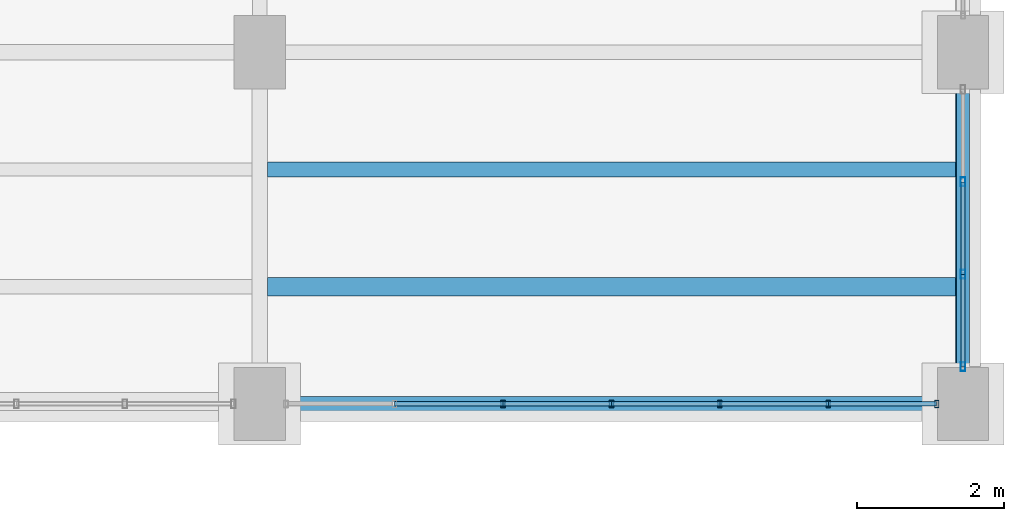
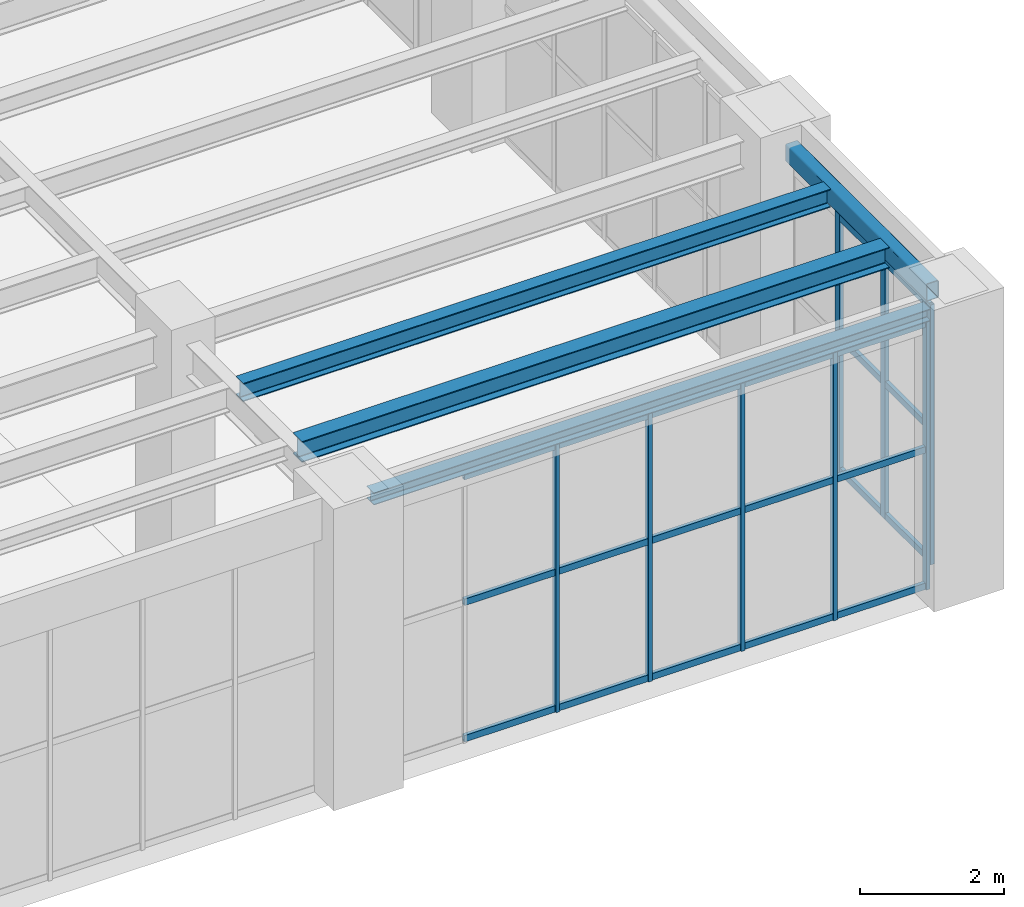
# One storey, part 103 of 174: 29 members, 4 beams, 2 elements without a shape of their own.
"""IFC4 building model written with IfcOpenShell, lengths in metres."""

import ifcopenshell
import ifcopenshell.guid

model = None  # the IFC model being written
_history = None  # IfcOwnerHistory: only IFC2X3 demands one
_inside = {}  # id of a spatial element -> (the spatial element, [elements in it])
_under = {}  # id of a project, library or spatial element -> (it, [spatial elements below it])
_declared = {}  # id of a project -> (the project, [libraries it declares])
_typed = {}  # id of a type object -> (the type object, [elements of that type])
_made_of = {}  # id of a material, layer set ... -> (it, [elements and type objects made of it])


def new_model(schema):
    """Start an empty IFC model of exactly this schema.

    Asked for "IFC4X3", IfcOpenShell would pick the latest addendum, in which some entities
    have other attributes; the version numbers below select the first issue.
    IFC2X3 requires an IfcOwnerHistory on every rooted entity: one is made here for all.
    """
    global model, _history
    if schema == "IFC4X3":
        model = ifcopenshell.file(schema_version=(4, 3, 0, 0))
    else:
        model = ifcopenshell.file(schema=schema)
    _inside.clear()
    _under.clear()
    _declared.clear()
    _typed.clear()
    _made_of.clear()
    _history = None
    if model.schema == "IFC2X3":
        org = make("IfcOrganization", Name="unknown")
        user = make(
            "IfcPersonAndOrganization",
            ThePerson=make("IfcPerson", FamilyName="unknown"),
            TheOrganization=org,
        )
        app = make(
            "IfcApplication",
            ApplicationDeveloper=org,
            Version="unknown",
            ApplicationFullName="unknown",
            ApplicationIdentifier="unknown",
        )
        _history = make(
            "IfcOwnerHistory",
            OwningUser=user,
            OwningApplication=app,
            ChangeAction="ADDED",
            CreationDate=0,
        )
    return model


def make(cls, **values):
    """One entity of the class cls with the attributes given. An attribute that is None is left unset."""
    return model.create_entity(
        cls, **{name: value for name, value in values.items() if value is not None}
    )


def rooted(cls, **values):
    """An entity with a GlobalId (a new one), such as an element, a storey or a relation."""
    return make(cls, GlobalId=ifcopenshell.guid.new(), OwnerHistory=_history, **values)


def si_unit(unit_type, name, prefix=None):
    """IfcSIUnit, for example si_unit("LENGTHUNIT", "METRE", prefix="MILLI")."""
    return make("IfcSIUnit", UnitType=unit_type, Prefix=prefix, Name=name)


def assignment(units):
    """IfcUnitAssignment: the units of a project."""
    return None if units is None else make("IfcUnitAssignment", Units=units)


def point(xyz):
    """IfcCartesianPoint."""
    return None if xyz is None else make("IfcCartesianPoint", Coordinates=xyz)


def direction(xyz):
    """IfcDirection."""
    return None if xyz is None else make("IfcDirection", DirectionRatios=xyz)


def frame(location, z_axis=None, x_axis=None):
    """IfcAxis2Placement3D, a coordinate frame: its origin and axes. An axis left out is left unset."""
    return make(
        "IfcAxis2Placement3D",
        Location=point(location),
        Axis=direction(z_axis),
        RefDirection=direction(x_axis),
    )


def frame_2d(location, x_axis=None):
    """IfcAxis2Placement2D, a coordinate frame in the plane: its origin and x axis."""
    return make(
        "IfcAxis2Placement2D", Location=point(location), RefDirection=direction(x_axis)
    )


def origin():
    """The frame at (0, 0, 0) with its axes left unset."""
    return frame((0.0, 0.0, 0.0))


def origin_2d():
    """The frame at (0, 0) in the plane with its x axis left unset."""
    return frame_2d((0.0, 0.0))


def place(relative_to, where):
    """IfcLocalPlacement: puts the frame where relative to a parent placement (None: the world)."""
    return make(
        "IfcLocalPlacement", PlacementRelTo=relative_to, RelativePlacement=where
    )


def context(
    kind, dimensions, precision=None, world=None, true_north=None, identifier=None
):
    """IfcGeometricRepresentationContext, for example the 3D "Model" context."""
    return make(
        "IfcGeometricRepresentationContext",
        ContextIdentifier=identifier,
        ContextType=kind,
        CoordinateSpaceDimension=dimensions,
        Precision=precision,
        WorldCoordinateSystem=world,
        TrueNorth=true_north,
    )


def subcontext(parent, identifier, kind, view, scale=None):
    """IfcGeometricRepresentationSubContext, for example "Body" below "Model"."""
    return make(
        "IfcGeometricRepresentationSubContext",
        ContextIdentifier=identifier,
        ContextType=kind,
        ParentContext=parent,
        TargetScale=scale,
        TargetView=view,
    )


def project(units=None, contexts=None):
    """IfcProject with its units and contexts."""
    return rooted(
        "IfcProject",
        Name="project",
        RepresentationContexts=contexts,
        UnitsInContext=assignment(units),
    )


def spatial(cls, under=None, at=None, **own):
    """A site, building, storey or space (cls), placed at a placement, below another one or the project."""
    s = rooted(cls, ObjectPlacement=at, **own)
    if under is not None:
        _under.setdefault(under.id(), (under, []))[1].append(s)
    return s


def profile(cls, at=None, kind="AREA", **sizes):
    """A parametric profile (cls). Its sizes go by their IFC names, for example OverallWidth=200.0."""
    return make(cls, ProfileType=kind, Position=at, **sizes)


def hollow_rectangle(**sizes):
    """IfcRectangleHollowProfileDef."""
    return profile("IfcRectangleHollowProfileDef", **sizes)


def i_section(**sizes):
    """IfcIShapeProfileDef."""
    return profile("IfcIShapeProfileDef", **sizes)


def extrude(swept, where, along, depth):
    """IfcExtrudedAreaSolid: the profile swept, set in the frame where, extruded along a direction by depth."""
    return make(
        "IfcExtrudedAreaSolid",
        SweptArea=swept,
        Position=where,
        ExtrudedDirection=direction(along),
        Depth=depth,
    )


def shape(context_of_items, identifier, shape_type, items):
    """IfcShapeRepresentation: the items that make up one representation, for example the "Body"."""
    return make(
        "IfcShapeRepresentation",
        ContextOfItems=context_of_items,
        RepresentationIdentifier=identifier,
        RepresentationType=shape_type,
        Items=items,
    )


def material(Name=None, Category=None):
    """IfcMaterial."""
    return make("IfcMaterial", Name=Name, Category=Category)


def material_profile(
    of_material, cross_section, Name=None, Category=None, Priority=None
):
    """IfcMaterialProfile: a cross section and its material."""
    return make(
        "IfcMaterialProfile",
        Name=Name,
        Material=of_material,
        Profile=cross_section,
        Priority=Priority,
        Category=Category,
    )


def profile_set(profiles, Name=None, composite=None):
    """IfcMaterialProfileSet."""
    return make(
        "IfcMaterialProfileSet",
        Name=Name,
        MaterialProfiles=profiles,
        CompositeProfile=composite,
    )


def made_of(thing, what):
    """Note that an element or type object is made of a material, layer set ...; save() writes the relation."""
    if what is not None:
        _made_of.setdefault(what.id(), (what, []))[1].append(thing)
    return thing


def type_object(cls, material=None, **own):
    """A type object (cls), such as IfcWallType, which elements share."""
    return made_of(rooted(cls, **own), material)


def element(
    cls,
    number,
    at=None,
    inside=None,
    cuts=None,
    type_object=None,
    material=None,
    context=None,
    identifier="Body",
    shape_type=None,
    held_by="IfcProductDefinitionShape",
    body=None,
    shapes=None,
    **own,
):
    """One element of the class cls, such as IfcWall. Its Tag is "e" and its number.

    at: its placement. inside: the storey or other place that contains it. cuts: it is an
    opening in that element (IfcRelVoidsElement). A single representation is given by context,
    identifier, shape_type and body (its items); several are given by shapes. held_by: the class
    of the entity that holds the representations. save() writes the other relations.
    """
    e = rooted(cls, Tag="e%d" % number, ObjectPlacement=at, **own)
    if body is not None:
        shapes = [shape(context, identifier, shape_type, body)]
    if shapes is not None:
        e.Representation = make(held_by, Representations=shapes)
    if inside is not None:
        _inside.setdefault(inside.id(), (inside, []))[1].append(e)
    if cuts is not None:
        rooted(
            "IfcRelVoidsElement", RelatingBuildingElement=cuts, RelatedOpeningElement=e
        )
    if type_object is not None:
        _typed.setdefault(type_object.id(), (type_object, []))[1].append(e)
    return made_of(e, material)


def aggregate(whole, parts):
    """IfcRelAggregates: a whole, such as a stair, and the parts it consists of."""
    return rooted("IfcRelAggregates", RelatingObject=whole, RelatedObjects=parts)


def save(model, path):
    """Write the relations noted so far, then the file.

    IfcRelAggregates (storeys below a building ...), IfcRelContainedInSpatialStructure (elements
    in a storey), IfcRelDefinesByType, IfcRelAssociatesMaterial and IfcRelDeclares: one each for
    every whole, place, type object, material and project.
    """
    for whole, parts in _under.values():
        aggregate(whole, parts)
    for where, things in _inside.values():
        rooted(
            "IfcRelContainedInSpatialStructure",
            RelatedElements=things,
            RelatingStructure=where,
        )
    for kind, things in _typed.values():
        rooted("IfcRelDefinesByType", RelatedObjects=things, RelatingType=kind)
    for what, things in _made_of.values():
        rooted("IfcRelAssociatesMaterial", RelatedObjects=things, RelatingMaterial=what)
    for by, libraries in _declared.values():
        rooted("IfcRelDeclares", RelatingContext=by, RelatedDefinitions=libraries)
    model.write(path)


model = new_model("IFC4")

# Units and contexts
model_context = context("Model", 3, precision=1e-05, world=origin(), true_north=direction((0.0, 1.0)))
body_context = subcontext(model_context, "Body", "Model", "MODEL_VIEW")
ifc_project = project(units=[si_unit("LENGTHUNIT", "METRE"), si_unit("AREAUNIT", "SQUARE_METRE"), si_unit("VOLUMEUNIT", "CUBIC_METRE"), si_unit("PLANEANGLEUNIT", "RADIAN"), si_unit("MASSUNIT", "GRAM", prefix="KILO")], contexts=[model_context])

# Site, building, storey
site_placement = place(None, origin())
site = spatial("IfcSite", under=ifc_project, at=site_placement, CompositionType="ELEMENT")
building_placement = place(site_placement, origin())
building = spatial("IfcBuilding", under=site, at=building_placement, Name="Mavantir Sound Aquarium", CompositionType="ELEMENT")
storey_placement = place(building_placement, frame((0.0, 0.0, 5.39990234375)))
storey = spatial("IfcBuildingStorey", under=building, at=storey_placement, Name="L01", CompositionType="ELEMENT", Elevation=5.39990234375)

# Beams
ifc_material_1 = material(Name="Hollow Structural Steel ASTM A500 GrC", Category="steel")
ifc_material_profile_1 = material_profile(ifc_material_1, hollow_rectangle(XDim=0.199951171875, YDim=0.300048828125, WallThickness=0.012451171875, InnerFilletRadius=0.012451171875, OuterFilletRadius=0.02490234375, at=origin_2d()), Name="RHS 300X200X12.5")
ifc_profile_set_1 = profile_set([ifc_material_profile_1], Name="Hollow Structural Steel ASTM A500 GrC")
beam_type_1 = type_object("IfcBeamType", Name="BM-RHS300-E", PredefinedType="SPANDREL", material=ifc_profile_set_1)
beam_1_placement = place(storey_placement, frame((175.199951171875, 36.449951171875, 4.6259765625), z_axis=(0.0, 1.0, 0.0), x_axis=(-1.0, 0.0, 0.0)))
element("IfcBeam", 1, at=beam_1_placement, inside=storey, type_object=beam_type_1, Name="L01 primary girder SS-R30 1352", PredefinedType="SPANDREL", context=body_context, shape_type="SweptSolid", body=[
    extrude(hollow_rectangle(XDim=0.199951171875, YDim=0.300048828125, WallThickness=0.012451171875, InnerFilletRadius=0.012451171875, OuterFilletRadius=0.02490234375, at=origin_2d()), origin(), (0.0, 0.0, 1.0), 3.900146484375),
])
ifc_material_2 = material(Name="Structural Steel ASTM A992 Gr50", Category="steel")
ifc_material_profile_2 = material_profile(ifc_material_2, i_section(OverallWidth=0.202880859375, OverallDepth=0.202880859375, WebThickness=0.007080078125, FlangeThickness=0.010986328125, FilletRadius=0.010009765625, at=origin_2d()), Name="W200X46")
ifc_profile_set_2 = profile_set([ifc_material_profile_2], Name="Structural Steel ASTM A992 Gr50")
beam_type_2 = type_object("IfcBeamType", Name="BM-W200X46-E", PredefinedType="LINTEL", material=ifc_profile_set_2)
beam_2_placement = place(storey_placement, frame((165.949951171875, 36.0, 4.674560546875), z_axis=(1.0, 0.0, 0.0), x_axis=(0.0, 1.0, 0.0)))
element("IfcBeam", 2, at=beam_2_placement, inside=storey, type_object=beam_type_2, Name="L01 primary beam SL-20 1244", PredefinedType="LINTEL", context=body_context, shape_type="SweptSolid", body=[
    extrude(i_section(OverallWidth=0.202880859375, OverallDepth=0.202880859375, WebThickness=0.007080078125, FlangeThickness=0.010986328125, FilletRadius=0.010009765625, at=origin_2d()), origin(), (0.0, 0.0, 1.0), 8.900146484375),
])
ifc_material_profile_3 = material_profile(ifc_material_2, i_section(OverallWidth=0.205078125, OverallDepth=0.31005859375, WebThickness=0.009521484375, FlangeThickness=0.016357421875, FilletRadius=0.012939453125, at=origin_2d()), Name="W310X74")
ifc_profile_set_3 = profile_set([ifc_material_profile_3], Name="Structural Steel ASTM A992 Gr50")
beam_type_3 = type_object("IfcBeamType", Name="BM-W310X74-I", PredefinedType="JOIST", material=ifc_profile_set_3)
beam_3_placement = place(storey_placement, frame((165.7060546875, 39.199951171875, 4.62109375), z_axis=(1.0, 0.0, 0.0), x_axis=(0.0, 1.0, 0.0)))
element("IfcBeam", 3, at=beam_3_placement, inside=storey, type_object=beam_type_3, Name="L01 secondary floor joist SJ-31 735", PredefinedType="JOIST", context=body_context, shape_type="SweptSolid", body=[
    extrude(i_section(OverallWidth=0.205078125, OverallDepth=0.31005859375, WebThickness=0.009521484375, FlangeThickness=0.016357421875, FilletRadius=0.012939453125, at=origin_2d()), origin(), (0.0, 0.0, 1.0), 9.39404296875),
])
ifc_material_profile_4 = material_profile(ifc_material_2, i_section(OverallWidth=0.25390625, OverallDepth=0.35302734375, WebThickness=0.009521484375, FlangeThickness=0.016357421875, FilletRadius=0.014892578125, at=origin_2d()), Name="W360X91")
ifc_profile_set_4 = profile_set([ifc_material_profile_4], Name="Structural Steel ASTM A992 Gr50")
beam_type_4 = type_object("IfcBeamType", Name="BM-W360X91-I", PredefinedType="JOIST", material=ifc_profile_set_4)
beam_4_placement = place(storey_placement, frame((165.7060546875, 37.60009765625, 4.599609375), z_axis=(1.0, 0.0, 0.0), x_axis=(0.0, 1.0, 0.0)))
element("IfcBeam", 4, at=beam_4_placement, inside=storey, type_object=beam_type_4, Name="L01 secondary floor joist SJ-36 734", PredefinedType="JOIST", context=body_context, shape_type="SweptSolid", body=[
    extrude(i_section(OverallWidth=0.25390625, OverallDepth=0.35302734375, WebThickness=0.009521484375, FlangeThickness=0.016357421875, FilletRadius=0.014892578125, at=origin_2d()), origin(), (0.0, 0.0, 1.0), 9.39404296875),
])

# Curtain wall, members
ifc_material_3 = material(Name="Anodised Marine Aluminium and Low-E Glass", Category="aluminium")
curtain_wall_type_1 = type_object("IfcCurtainWallType", Name="CW-T07", PredefinedType="USERDEFINED", material=ifc_material_3)
curtain_wall_1_placement = place(storey_placement, origin())
curtain_wall_1 = element("IfcCurtainWall", 5, at=curtain_wall_1_placement, inside=storey, type_object=curtain_wall_type_1, Name="L01 unitised curtain wall CW-07 103", ObjectType="UNITISED GLAZING", PredefinedType="USERDEFINED")
ifc_material_4 = material(Name="Anodised Marine Aluminium 6063-T6", Category="aluminium")
ifc_material_profile_5 = material_profile(ifc_material_4, hollow_rectangle(XDim=0.06005859375, YDim=0.10009765625, WallThickness=0.00390625, at=origin_2d()), Name="ALU-MULLION-100X60")
ifc_profile_set_5 = profile_set([ifc_material_profile_5], Name="Anodised Marine Aluminium 6063-T6")
member_type_1 = type_object("IfcMemberType", Name="CW-MUL-100", PredefinedType="MULLION", material=ifc_profile_set_5)
member_1_placement = place(storey_placement, frame((168.919189453125, 36.0, 0.0), z_axis=(0.0, 0.0, 1.0), x_axis=(1.0, 0.0, 0.0)))
member_1 = element("IfcMember", 6, at=member_1_placement, type_object=member_type_1, Name="CW-L01-103 vertical mullion 3", PredefinedType="MULLION", context=body_context, shape_type="SweptSolid", body=[
    extrude(hollow_rectangle(XDim=0.06005859375, YDim=0.10009765625, WallThickness=0.00390625, at=origin_2d()), origin(), (0.0, 0.0, 1.0), 4.543212890625),
])
member_2_placement = place(storey_placement, frame((170.39990234375, 36.0, 0.0), z_axis=(0.0, 0.0, 1.0), x_axis=(1.0, 0.0, 0.0)))
member_2 = element("IfcMember", 7, at=member_2_placement, type_object=member_type_1, Name="CW-L01-103 vertical mullion 4", PredefinedType="MULLION", context=body_context, shape_type="SweptSolid", body=[
    extrude(hollow_rectangle(XDim=0.06005859375, YDim=0.10009765625, WallThickness=0.00390625, at=origin_2d()), origin(), (0.0, 0.0, 1.0), 4.543212890625),
])
member_3_placement = place(storey_placement, frame((171.880615234375, 36.0, 0.0), z_axis=(0.0, 0.0, 1.0), x_axis=(1.0, 0.0, 0.0)))
member_3 = element("IfcMember", 8, at=member_3_placement, type_object=member_type_1, Name="CW-L01-103 vertical mullion 5", PredefinedType="MULLION", context=body_context, shape_type="SweptSolid", body=[
    extrude(hollow_rectangle(XDim=0.06005859375, YDim=0.10009765625, WallThickness=0.00390625, at=origin_2d()), origin(), (0.0, 0.0, 1.0), 4.543212890625),
])
member_4_placement = place(storey_placement, frame((173.361328125, 36.0, 0.0), z_axis=(0.0, 0.0, 1.0), x_axis=(1.0, 0.0, 0.0)))
member_4 = element("IfcMember", 9, at=member_4_placement, type_object=member_type_1, Name="CW-L01-103 vertical mullion 6", PredefinedType="MULLION", context=body_context, shape_type="SweptSolid", body=[
    extrude(hollow_rectangle(XDim=0.06005859375, YDim=0.10009765625, WallThickness=0.00390625, at=origin_2d()), origin(), (0.0, 0.0, 1.0), 4.543212890625),
])
member_5_placement = place(storey_placement, frame((174.842041015625, 36.0, 0.0), z_axis=(0.0, 0.0, 1.0), x_axis=(1.0, 0.0, 0.0)))
member_5 = element("IfcMember", 10, at=member_5_placement, type_object=member_type_1, Name="CW-L01-103 vertical mullion 7", PredefinedType="MULLION", context=body_context, shape_type="SweptSolid", body=[
    extrude(hollow_rectangle(XDim=0.06005859375, YDim=0.10009765625, WallThickness=0.00390625, at=origin_2d()), origin(), (0.0, 0.0, 1.0), 4.543212890625),
])

curtain_wall_type_2 = type_object("IfcCurtainWallType", Name="CW-T08", PredefinedType="USERDEFINED", material=ifc_material_3)
curtain_wall_2_placement = place(storey_placement, origin())
curtain_wall_2 = element("IfcCurtainWall", 11, at=curtain_wall_2_placement, inside=storey, type_object=curtain_wall_type_2, Name="L01 unitised curtain wall CW-08 104", ObjectType="UNITISED GLAZING", PredefinedType="USERDEFINED")
ifc_material_profile_6 = material_profile(ifc_material_4, hollow_rectangle(XDim=0.06494140625, YDim=0.1201171875, WallThickness=0.00390625, at=origin_2d()), Name="ALU-MULLION-120X65")
ifc_profile_set_6 = profile_set([ifc_material_profile_6], Name="Anodised Marine Aluminium 6063-T6")
member_type_2 = type_object("IfcMemberType", Name="CW-MUL-120", PredefinedType="MULLION", material=ifc_profile_set_6)
member_6_placement = place(storey_placement, frame((175.199951171875, 36.508056640625, 0.0), z_axis=(0.0, 0.0, 1.0), x_axis=(1.0, 0.0, 0.0)))
member_6 = element("IfcMember", 12, at=member_6_placement, type_object=member_type_2, Name="CW-L01-104 vertical mullion 1", PredefinedType="MULLION", context=body_context, shape_type="SweptSolid", body=[
    extrude(hollow_rectangle(XDim=0.06494140625, YDim=0.1201171875, WallThickness=0.00390625, at=origin_2d()), origin(), (0.0, 0.0, 1.0), 4.39306640625),
])
member_7_placement = place(storey_placement, frame((175.199951171875, 37.769287109375, 0.0), z_axis=(0.0, 0.0, 1.0), x_axis=(1.0, 0.0, 0.0)))
member_7 = element("IfcMember", 13, at=member_7_placement, type_object=member_type_2, Name="CW-L01-104 vertical mullion 2", PredefinedType="MULLION", context=body_context, shape_type="SweptSolid", body=[
    extrude(hollow_rectangle(XDim=0.06494140625, YDim=0.1201171875, WallThickness=0.00390625, at=origin_2d()), origin(), (0.0, 0.0, 1.0), 4.39306640625),
])
member_8_placement = place(storey_placement, frame((175.199951171875, 39.03076171875, 0.0), z_axis=(0.0, 0.0, 1.0), x_axis=(1.0, 0.0, 0.0)))
member_8 = element("IfcMember", 14, at=member_8_placement, type_object=member_type_2, Name="CW-L01-104 vertical mullion 3", PredefinedType="MULLION", context=body_context, shape_type="SweptSolid", body=[
    extrude(hollow_rectangle(XDim=0.06494140625, YDim=0.1201171875, WallThickness=0.00390625, at=origin_2d()), origin(), (0.0, 0.0, 1.0), 4.39306640625),
])

# Member
ifc_material_profile_7 = material_profile(ifc_material_4, hollow_rectangle(XDim=0.06005859375, YDim=0.110107421875, WallThickness=0.00390625, at=origin_2d()), Name="ALU-TRANSOM-110X60")
ifc_profile_set_7 = profile_set([ifc_material_profile_7], Name="Anodised Marine Aluminium 6063-T6")
member_type_3 = type_object("IfcMemberType", Name="CW-TRN-110", PredefinedType="USERDEFINED", material=ifc_profile_set_7)
member_9_placement = place(storey_placement, frame((167.438720703125, 36.0, 0.05517578125), z_axis=(1.0, 0.0, 0.0), x_axis=(0.0, 1.0, 0.0)))
member_9 = element("IfcMember", 15, at=member_9_placement, type_object=member_type_3, Name="CW-L01-103 transom 2.1", ObjectType="TRANSOM", PredefinedType="USERDEFINED", context=body_context, shape_type="SweptSolid", body=[
    extrude(hollow_rectangle(XDim=0.06005859375, YDim=0.110107421875, WallThickness=0.00390625, at=origin_2d()), origin(), (0.0, 0.0, 1.0), 1.48046875),
])

member_10_placement = place(storey_placement, frame((167.438720703125, 36.0, 2.362548828125), z_axis=(1.0, 0.0, 0.0), x_axis=(0.0, 1.0, 0.0)))
member_10 = element("IfcMember", 16, at=member_10_placement, type_object=member_type_3, Name="CW-L01-103 transom 2.2", ObjectType="TRANSOM", PredefinedType="USERDEFINED", context=body_context, shape_type="SweptSolid", body=[
    extrude(hollow_rectangle(XDim=0.06005859375, YDim=0.110107421875, WallThickness=0.00390625, at=origin_2d()), origin(), (0.0, 0.0, 1.0), 1.48046875),
])

member_11_placement = place(storey_placement, frame((167.438720703125, 36.0, 4.488037109375), z_axis=(1.0, 0.0, 0.0), x_axis=(0.0, 1.0, 0.0)))
member_11 = element("IfcMember", 17, at=member_11_placement, type_object=member_type_3, Name="CW-L01-103 transom 2.3", ObjectType="TRANSOM", PredefinedType="USERDEFINED", context=body_context, shape_type="SweptSolid", body=[
    extrude(hollow_rectangle(XDim=0.06005859375, YDim=0.110107421875, WallThickness=0.00390625, at=origin_2d()), origin(), (0.0, 0.0, 1.0), 1.48046875),
])

member_12_placement = place(storey_placement, frame((168.919189453125, 36.0, 0.05517578125), z_axis=(1.0, 0.0, 0.0), x_axis=(0.0, 1.0, 0.0)))
member_12 = element("IfcMember", 18, at=member_12_placement, type_object=member_type_3, Name="CW-L01-103 transom 3.1", ObjectType="TRANSOM", PredefinedType="USERDEFINED", context=body_context, shape_type="SweptSolid", body=[
    extrude(hollow_rectangle(XDim=0.06005859375, YDim=0.110107421875, WallThickness=0.00390625, at=origin_2d()), origin(), (0.0, 0.0, 1.0), 1.480712890625),
])

member_13_placement = place(storey_placement, frame((168.919189453125, 36.0, 2.362548828125), z_axis=(1.0, 0.0, 0.0), x_axis=(0.0, 1.0, 0.0)))
member_13 = element("IfcMember", 19, at=member_13_placement, type_object=member_type_3, Name="CW-L01-103 transom 3.2", ObjectType="TRANSOM", PredefinedType="USERDEFINED", context=body_context, shape_type="SweptSolid", body=[
    extrude(hollow_rectangle(XDim=0.06005859375, YDim=0.110107421875, WallThickness=0.00390625, at=origin_2d()), origin(), (0.0, 0.0, 1.0), 1.480712890625),
])

member_14_placement = place(storey_placement, frame((168.919189453125, 36.0, 4.488037109375), z_axis=(1.0, 0.0, 0.0), x_axis=(0.0, 1.0, 0.0)))
member_14 = element("IfcMember", 20, at=member_14_placement, type_object=member_type_3, Name="CW-L01-103 transom 3.3", ObjectType="TRANSOM", PredefinedType="USERDEFINED", context=body_context, shape_type="SweptSolid", body=[
    extrude(hollow_rectangle(XDim=0.06005859375, YDim=0.110107421875, WallThickness=0.00390625, at=origin_2d()), origin(), (0.0, 0.0, 1.0), 1.480712890625),
])

member_15_placement = place(storey_placement, frame((170.39990234375, 36.0, 0.05517578125), z_axis=(1.0, 0.0, 0.0), x_axis=(0.0, 1.0, 0.0)))
member_15 = element("IfcMember", 21, at=member_15_placement, type_object=member_type_3, Name="CW-L01-103 transom 4.1", ObjectType="TRANSOM", PredefinedType="USERDEFINED", context=body_context, shape_type="SweptSolid", body=[
    extrude(hollow_rectangle(XDim=0.06005859375, YDim=0.110107421875, WallThickness=0.00390625, at=origin_2d()), origin(), (0.0, 0.0, 1.0), 1.480712890625),
])

member_16_placement = place(storey_placement, frame((170.39990234375, 36.0, 2.362548828125), z_axis=(1.0, 0.0, 0.0), x_axis=(0.0, 1.0, 0.0)))
member_16 = element("IfcMember", 22, at=member_16_placement, type_object=member_type_3, Name="CW-L01-103 transom 4.2", ObjectType="TRANSOM", PredefinedType="USERDEFINED", context=body_context, shape_type="SweptSolid", body=[
    extrude(hollow_rectangle(XDim=0.06005859375, YDim=0.110107421875, WallThickness=0.00390625, at=origin_2d()), origin(), (0.0, 0.0, 1.0), 1.480712890625),
])

member_17_placement = place(storey_placement, frame((170.39990234375, 36.0, 4.488037109375), z_axis=(1.0, 0.0, 0.0), x_axis=(0.0, 1.0, 0.0)))
member_17 = element("IfcMember", 23, at=member_17_placement, type_object=member_type_3, Name="CW-L01-103 transom 4.3", ObjectType="TRANSOM", PredefinedType="USERDEFINED", context=body_context, shape_type="SweptSolid", body=[
    extrude(hollow_rectangle(XDim=0.06005859375, YDim=0.110107421875, WallThickness=0.00390625, at=origin_2d()), origin(), (0.0, 0.0, 1.0), 1.480712890625),
])

member_18_placement = place(storey_placement, frame((171.880615234375, 36.0, 0.05517578125), z_axis=(1.0, 0.0, 0.0), x_axis=(0.0, 1.0, 0.0)))
member_18 = element("IfcMember", 24, at=member_18_placement, type_object=member_type_3, Name="CW-L01-103 transom 5.1", ObjectType="TRANSOM", PredefinedType="USERDEFINED", context=body_context, shape_type="SweptSolid", body=[
    extrude(hollow_rectangle(XDim=0.06005859375, YDim=0.110107421875, WallThickness=0.00390625, at=origin_2d()), origin(), (0.0, 0.0, 1.0), 1.480712890625),
])

member_19_placement = place(storey_placement, frame((171.880615234375, 36.0, 2.362548828125), z_axis=(1.0, 0.0, 0.0), x_axis=(0.0, 1.0, 0.0)))
member_19 = element("IfcMember", 25, at=member_19_placement, type_object=member_type_3, Name="CW-L01-103 transom 5.2", ObjectType="TRANSOM", PredefinedType="USERDEFINED", context=body_context, shape_type="SweptSolid", body=[
    extrude(hollow_rectangle(XDim=0.06005859375, YDim=0.110107421875, WallThickness=0.00390625, at=origin_2d()), origin(), (0.0, 0.0, 1.0), 1.480712890625),
])

member_20_placement = place(storey_placement, frame((171.880615234375, 36.0, 4.488037109375), z_axis=(1.0, 0.0, 0.0), x_axis=(0.0, 1.0, 0.0)))
member_20 = element("IfcMember", 26, at=member_20_placement, type_object=member_type_3, Name="CW-L01-103 transom 5.3", ObjectType="TRANSOM", PredefinedType="USERDEFINED", context=body_context, shape_type="SweptSolid", body=[
    extrude(hollow_rectangle(XDim=0.06005859375, YDim=0.110107421875, WallThickness=0.00390625, at=origin_2d()), origin(), (0.0, 0.0, 1.0), 1.480712890625),
])

member_21_placement = place(storey_placement, frame((173.361328125, 36.0, 0.05517578125), z_axis=(1.0, 0.0, 0.0), x_axis=(0.0, 1.0, 0.0)))
member_21 = element("IfcMember", 27, at=member_21_placement, type_object=member_type_3, Name="CW-L01-103 transom 6.1", ObjectType="TRANSOM", PredefinedType="USERDEFINED", context=body_context, shape_type="SweptSolid", body=[
    extrude(hollow_rectangle(XDim=0.06005859375, YDim=0.110107421875, WallThickness=0.00390625, at=origin_2d()), origin(), (0.0, 0.0, 1.0), 1.480712890625),
])

member_22_placement = place(storey_placement, frame((173.361328125, 36.0, 2.362548828125), z_axis=(1.0, 0.0, 0.0), x_axis=(0.0, 1.0, 0.0)))
member_22 = element("IfcMember", 28, at=member_22_placement, type_object=member_type_3, Name="CW-L01-103 transom 6.2", ObjectType="TRANSOM", PredefinedType="USERDEFINED", context=body_context, shape_type="SweptSolid", body=[
    extrude(hollow_rectangle(XDim=0.06005859375, YDim=0.110107421875, WallThickness=0.00390625, at=origin_2d()), origin(), (0.0, 0.0, 1.0), 1.480712890625),
])

member_23_placement = place(storey_placement, frame((173.361328125, 36.0, 4.488037109375), z_axis=(1.0, 0.0, 0.0), x_axis=(0.0, 1.0, 0.0)))
member_23 = element("IfcMember", 29, at=member_23_placement, type_object=member_type_3, Name="CW-L01-103 transom 6.3", ObjectType="TRANSOM", PredefinedType="USERDEFINED", context=body_context, shape_type="SweptSolid", body=[
    extrude(hollow_rectangle(XDim=0.06005859375, YDim=0.110107421875, WallThickness=0.00390625, at=origin_2d()), origin(), (0.0, 0.0, 1.0), 1.480712890625),
])

aggregate(curtain_wall_1, [member_1, member_2, member_3, member_4, member_5, member_9, member_10, member_11, member_12, member_13, member_14, member_15, member_16, member_17, member_18, member_19, member_20, member_21, member_22, member_23])

member_24_placement = place(storey_placement, frame((175.199951171875, 36.508056640625, 0.05517578125), z_axis=(0.0, 1.0, 0.0), x_axis=(-1.0, 0.0, 0.0)))
member_24 = element("IfcMember", 30, at=member_24_placement, type_object=member_type_3, Name="CW-L01-104 transom 1.1", ObjectType="TRANSOM", PredefinedType="USERDEFINED", context=body_context, shape_type="SweptSolid", body=[
    extrude(hollow_rectangle(XDim=0.06005859375, YDim=0.110107421875, WallThickness=0.00390625, at=origin_2d()), origin(), (0.0, 0.0, 1.0), 1.26123046875),
])

member_25_placement = place(storey_placement, frame((175.199951171875, 36.508056640625, 2.284423828125), z_axis=(0.0, 1.0, 0.0), x_axis=(-1.0, 0.0, 0.0)))
member_25 = element("IfcMember", 31, at=member_25_placement, type_object=member_type_3, Name="CW-L01-104 transom 1.2", ObjectType="TRANSOM", PredefinedType="USERDEFINED", context=body_context, shape_type="SweptSolid", body=[
    extrude(hollow_rectangle(XDim=0.06005859375, YDim=0.110107421875, WallThickness=0.00390625, at=origin_2d()), origin(), (0.0, 0.0, 1.0), 1.26123046875),
])

member_26_placement = place(storey_placement, frame((175.199951171875, 36.508056640625, 4.338134765625), z_axis=(0.0, 1.0, 0.0), x_axis=(-1.0, 0.0, 0.0)))
member_26 = element("IfcMember", 32, at=member_26_placement, type_object=member_type_3, Name="CW-L01-104 transom 1.3", ObjectType="TRANSOM", PredefinedType="USERDEFINED", context=body_context, shape_type="SweptSolid", body=[
    extrude(hollow_rectangle(XDim=0.06005859375, YDim=0.110107421875, WallThickness=0.00390625, at=origin_2d()), origin(), (0.0, 0.0, 1.0), 1.26123046875),
])

member_27_placement = place(storey_placement, frame((175.199951171875, 37.769287109375, 0.05517578125), z_axis=(0.0, 1.0, 0.0), x_axis=(-1.0, 0.0, 0.0)))
member_27 = element("IfcMember", 33, at=member_27_placement, type_object=member_type_3, Name="CW-L01-104 transom 2.1", ObjectType="TRANSOM", PredefinedType="USERDEFINED", context=body_context, shape_type="SweptSolid", body=[
    extrude(hollow_rectangle(XDim=0.06005859375, YDim=0.110107421875, WallThickness=0.00390625, at=origin_2d()), origin(), (0.0, 0.0, 1.0), 1.261474609375),
])

member_28_placement = place(storey_placement, frame((175.199951171875, 37.769287109375, 2.284423828125), z_axis=(0.0, 1.0, 0.0), x_axis=(-1.0, 0.0, 0.0)))
member_28 = element("IfcMember", 34, at=member_28_placement, type_object=member_type_3, Name="CW-L01-104 transom 2.2", ObjectType="TRANSOM", PredefinedType="USERDEFINED", context=body_context, shape_type="SweptSolid", body=[
    extrude(hollow_rectangle(XDim=0.06005859375, YDim=0.110107421875, WallThickness=0.00390625, at=origin_2d()), origin(), (0.0, 0.0, 1.0), 1.261474609375),
])

member_29_placement = place(storey_placement, frame((175.199951171875, 37.769287109375, 4.338134765625), z_axis=(0.0, 1.0, 0.0), x_axis=(-1.0, 0.0, 0.0)))
member_29 = element("IfcMember", 35, at=member_29_placement, type_object=member_type_3, Name="CW-L01-104 transom 2.3", ObjectType="TRANSOM", PredefinedType="USERDEFINED", context=body_context, shape_type="SweptSolid", body=[
    extrude(hollow_rectangle(XDim=0.06005859375, YDim=0.110107421875, WallThickness=0.00390625, at=origin_2d()), origin(), (0.0, 0.0, 1.0), 1.261474609375),
])

aggregate(curtain_wall_2, [member_6, member_7, member_8, member_24, member_25, member_26, member_27, member_28, member_29])

save(model, "model.ifc")
